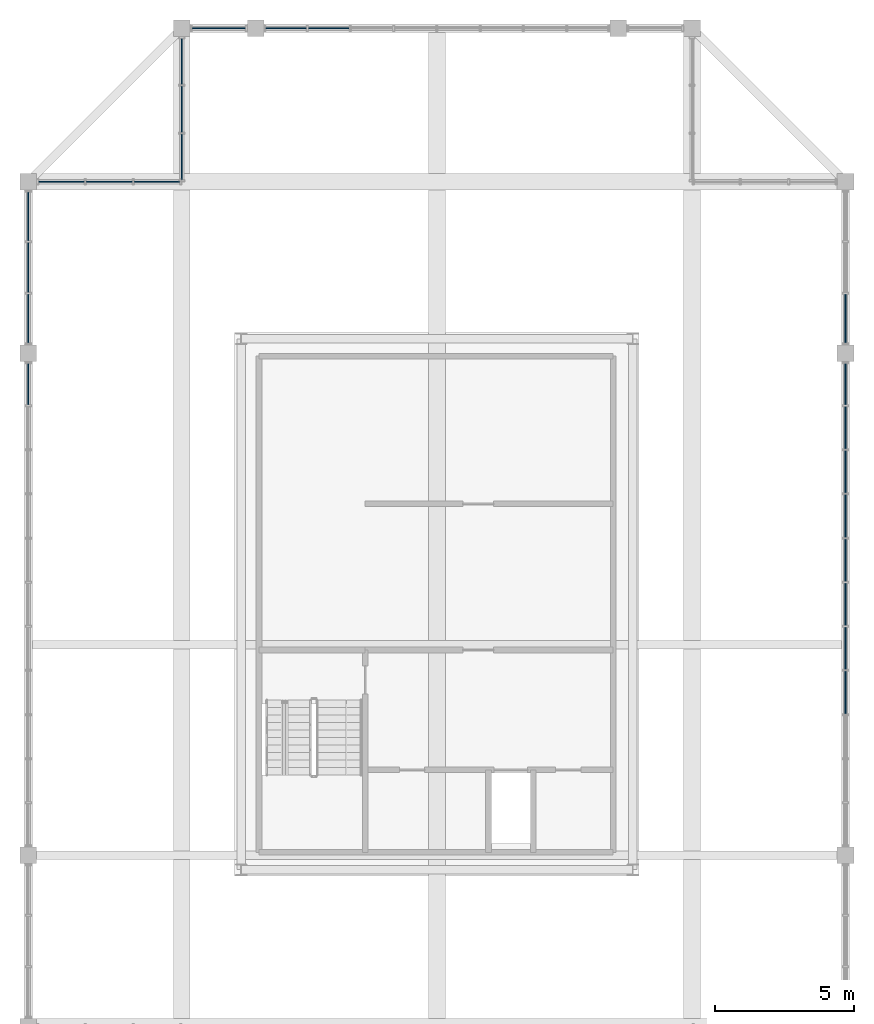
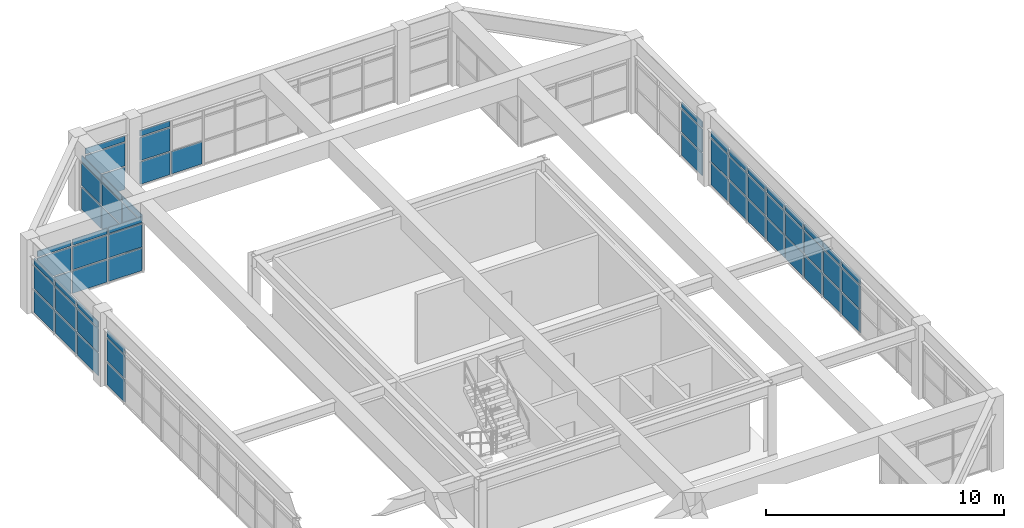
# One storey, part 25 of 28: 64 plates, 8 elements without a shape of their own.
"""IFC4 building model written with IfcOpenShell, lengths in metres."""

import ifcopenshell
import ifcopenshell.guid

model = None  # the IFC model being written
_history = None  # IfcOwnerHistory: only IFC2X3 demands one
_inside = {}  # id of a spatial element -> (the spatial element, [elements in it])
_under = {}  # id of a project, library or spatial element -> (it, [spatial elements below it])
_declared = {}  # id of a project -> (the project, [libraries it declares])
_typed = {}  # id of a type object -> (the type object, [elements of that type])
_made_of = {}  # id of a material, layer set ... -> (it, [elements and type objects made of it])


def new_model(schema):
    """Start an empty IFC model of exactly this schema.

    Asked for "IFC4X3", IfcOpenShell would pick the latest addendum, in which some entities
    have other attributes; the version numbers below select the first issue.
    IFC2X3 requires an IfcOwnerHistory on every rooted entity: one is made here for all.
    """
    global model, _history
    if schema == "IFC4X3":
        model = ifcopenshell.file(schema_version=(4, 3, 0, 0))
    else:
        model = ifcopenshell.file(schema=schema)
    _inside.clear()
    _under.clear()
    _declared.clear()
    _typed.clear()
    _made_of.clear()
    _history = None
    if model.schema == "IFC2X3":
        org = make("IfcOrganization", Name="unknown")
        user = make(
            "IfcPersonAndOrganization",
            ThePerson=make("IfcPerson", FamilyName="unknown"),
            TheOrganization=org,
        )
        app = make(
            "IfcApplication",
            ApplicationDeveloper=org,
            Version="unknown",
            ApplicationFullName="unknown",
            ApplicationIdentifier="unknown",
        )
        _history = make(
            "IfcOwnerHistory",
            OwningUser=user,
            OwningApplication=app,
            ChangeAction="ADDED",
            CreationDate=0,
        )
    return model


def make(cls, **values):
    """One entity of the class cls with the attributes given. An attribute that is None is left unset."""
    return model.create_entity(
        cls, **{name: value for name, value in values.items() if value is not None}
    )


def rooted(cls, **values):
    """An entity with a GlobalId (a new one), such as an element, a storey or a relation."""
    return make(cls, GlobalId=ifcopenshell.guid.new(), OwnerHistory=_history, **values)


def si_unit(unit_type, name, prefix=None):
    """IfcSIUnit, for example si_unit("LENGTHUNIT", "METRE", prefix="MILLI")."""
    return make("IfcSIUnit", UnitType=unit_type, Prefix=prefix, Name=name)


def assignment(units):
    """IfcUnitAssignment: the units of a project."""
    return None if units is None else make("IfcUnitAssignment", Units=units)


def point(xyz):
    """IfcCartesianPoint."""
    return None if xyz is None else make("IfcCartesianPoint", Coordinates=xyz)


def direction(xyz):
    """IfcDirection."""
    return None if xyz is None else make("IfcDirection", DirectionRatios=xyz)


def frame(location, z_axis=None, x_axis=None):
    """IfcAxis2Placement3D, a coordinate frame: its origin and axes. An axis left out is left unset."""
    return make(
        "IfcAxis2Placement3D",
        Location=point(location),
        Axis=direction(z_axis),
        RefDirection=direction(x_axis),
    )


def frame_2d(location, x_axis=None):
    """IfcAxis2Placement2D, a coordinate frame in the plane: its origin and x axis."""
    return make(
        "IfcAxis2Placement2D", Location=point(location), RefDirection=direction(x_axis)
    )


def origin():
    """The frame at (0, 0, 0) with its axes left unset."""
    return frame((0.0, 0.0, 0.0))


def origin_2d():
    """The frame at (0, 0) in the plane with its x axis left unset."""
    return frame_2d((0.0, 0.0))


def place(relative_to, where):
    """IfcLocalPlacement: puts the frame where relative to a parent placement (None: the world)."""
    return make(
        "IfcLocalPlacement", PlacementRelTo=relative_to, RelativePlacement=where
    )


def context(
    kind, dimensions, precision=None, world=None, true_north=None, identifier=None
):
    """IfcGeometricRepresentationContext, for example the 3D "Model" context."""
    return make(
        "IfcGeometricRepresentationContext",
        ContextIdentifier=identifier,
        ContextType=kind,
        CoordinateSpaceDimension=dimensions,
        Precision=precision,
        WorldCoordinateSystem=world,
        TrueNorth=true_north,
    )


def subcontext(parent, identifier, kind, view, scale=None):
    """IfcGeometricRepresentationSubContext, for example "Body" below "Model"."""
    return make(
        "IfcGeometricRepresentationSubContext",
        ContextIdentifier=identifier,
        ContextType=kind,
        ParentContext=parent,
        TargetScale=scale,
        TargetView=view,
    )


def project(units=None, contexts=None):
    """IfcProject with its units and contexts."""
    return rooted(
        "IfcProject",
        Name="project",
        RepresentationContexts=contexts,
        UnitsInContext=assignment(units),
    )


def spatial(cls, under=None, at=None, **own):
    """A site, building, storey or space (cls), placed at a placement, below another one or the project."""
    s = rooted(cls, ObjectPlacement=at, **own)
    if under is not None:
        _under.setdefault(under.id(), (under, []))[1].append(s)
    return s


def profile(cls, at=None, kind="AREA", **sizes):
    """A parametric profile (cls). Its sizes go by their IFC names, for example OverallWidth=200.0."""
    return make(cls, ProfileType=kind, Position=at, **sizes)


def rectangle(**sizes):
    """IfcRectangleProfileDef."""
    return profile("IfcRectangleProfileDef", **sizes)


def extrude(swept, where, along, depth):
    """IfcExtrudedAreaSolid: the profile swept, set in the frame where, extruded along a direction by depth."""
    return make(
        "IfcExtrudedAreaSolid",
        SweptArea=swept,
        Position=where,
        ExtrudedDirection=direction(along),
        Depth=depth,
    )


def shape(context_of_items, identifier, shape_type, items):
    """IfcShapeRepresentation: the items that make up one representation, for example the "Body"."""
    return make(
        "IfcShapeRepresentation",
        ContextOfItems=context_of_items,
        RepresentationIdentifier=identifier,
        RepresentationType=shape_type,
        Items=items,
    )


def source(mapping_origin, context_of_items, identifier, shape_type, items):
    """IfcRepresentationMap: a shape defined once, which mapped items show again and again."""
    return make(
        "IfcRepresentationMap",
        MappingOrigin=mapping_origin,
        MappedRepresentation=shape(context_of_items, identifier, shape_type, items),
    )


def transform(
    local_origin,
    x_axis=None,
    y_axis=None,
    z_axis=None,
    scale=None,
    scale2=None,
    scale3=None,
    uniform=True,
):
    """IfcCartesianTransformationOperator3D, or its non-uniform kind. x_axis, y_axis, z_axis: its Axis1, 2, 3."""
    if uniform:
        return make(
            "IfcCartesianTransformationOperator3D",
            Axis1=direction(x_axis),
            Axis2=direction(y_axis),
            LocalOrigin=point(local_origin),
            Scale=scale,
            Axis3=direction(z_axis),
        )
    return make(
        "IfcCartesianTransformationOperator3DnonUniform",
        Axis1=direction(x_axis),
        Axis2=direction(y_axis),
        LocalOrigin=point(local_origin),
        Scale=scale,
        Axis3=direction(z_axis),
        Scale2=scale2,
        Scale3=scale3,
    )


def mapped(mapping_source, mapping_target):
    """IfcMappedItem: shows the shape of a source again, moved by a transform."""
    return make(
        "IfcMappedItem", MappingSource=mapping_source, MappingTarget=mapping_target
    )


def material(Name=None, Category=None):
    """IfcMaterial."""
    return make("IfcMaterial", Name=Name, Category=Category)


def layer(
    of_material, thickness, ventilated=None, Name=None, Category=None, Priority=None
):
    """IfcMaterialLayer: one layer of a wall or slab, of a material (None: an air gap)."""
    return make(
        "IfcMaterialLayer",
        Material=of_material,
        LayerThickness=thickness,
        IsVentilated=ventilated,
        Name=Name,
        Category=Category,
        Priority=Priority,
    )


def layer_set(layers, Name=None):
    """IfcMaterialLayerSet."""
    return make("IfcMaterialLayerSet", MaterialLayers=layers, LayerSetName=Name)


def made_of(thing, what):
    """Note that an element or type object is made of a material, layer set ...; save() writes the relation."""
    if what is not None:
        _made_of.setdefault(what.id(), (what, []))[1].append(thing)
    return thing


def type_object(cls, material=None, **own):
    """A type object (cls), such as IfcWallType, which elements share."""
    return made_of(rooted(cls, **own), material)


def element(
    cls,
    number,
    at=None,
    inside=None,
    cuts=None,
    type_object=None,
    material=None,
    context=None,
    identifier="Body",
    shape_type=None,
    held_by="IfcProductDefinitionShape",
    body=None,
    shapes=None,
    **own,
):
    """One element of the class cls, such as IfcWall. Its Tag is "e" and its number.

    at: its placement. inside: the storey or other place that contains it. cuts: it is an
    opening in that element (IfcRelVoidsElement). A single representation is given by context,
    identifier, shape_type and body (its items); several are given by shapes. held_by: the class
    of the entity that holds the representations. save() writes the other relations.
    """
    e = rooted(cls, Tag="e%d" % number, ObjectPlacement=at, **own)
    if body is not None:
        shapes = [shape(context, identifier, shape_type, body)]
    if shapes is not None:
        e.Representation = make(held_by, Representations=shapes)
    if inside is not None:
        _inside.setdefault(inside.id(), (inside, []))[1].append(e)
    if cuts is not None:
        rooted(
            "IfcRelVoidsElement", RelatingBuildingElement=cuts, RelatedOpeningElement=e
        )
    if type_object is not None:
        _typed.setdefault(type_object.id(), (type_object, []))[1].append(e)
    return made_of(e, material)


def aggregate(whole, parts):
    """IfcRelAggregates: a whole, such as a stair, and the parts it consists of."""
    return rooted("IfcRelAggregates", RelatingObject=whole, RelatedObjects=parts)


def save(model, path):
    """Write the relations noted so far, then the file.

    IfcRelAggregates (storeys below a building ...), IfcRelContainedInSpatialStructure (elements
    in a storey), IfcRelDefinesByType, IfcRelAssociatesMaterial and IfcRelDeclares: one each for
    every whole, place, type object, material and project.
    """
    for whole, parts in _under.values():
        aggregate(whole, parts)
    for where, things in _inside.values():
        rooted(
            "IfcRelContainedInSpatialStructure",
            RelatedElements=things,
            RelatingStructure=where,
        )
    for kind, things in _typed.values():
        rooted("IfcRelDefinesByType", RelatedObjects=things, RelatingType=kind)
    for what, things in _made_of.values():
        rooted("IfcRelAssociatesMaterial", RelatedObjects=things, RelatingMaterial=what)
    for by, libraries in _declared.values():
        rooted("IfcRelDeclares", RelatingContext=by, RelatedDefinitions=libraries)
    model.write(path)


model = new_model("IFC4")

# Units and contexts
model_context = context("Model", 3, precision=1e-05, world=origin(), true_north=direction((0.0, 1.0)))
body_context = subcontext(model_context, "Body", "Model", "MODEL_VIEW")
ifc_project = project(units=[si_unit("LENGTHUNIT", "METRE"), si_unit("AREAUNIT", "SQUARE_METRE"), si_unit("VOLUMEUNIT", "CUBIC_METRE"), si_unit("PLANEANGLEUNIT", "RADIAN"), si_unit("MASSUNIT", "GRAM", prefix="KILO")], contexts=[model_context])

# Site, building, storey
site_placement = place(None, origin())
site = spatial("IfcSite", under=ifc_project, at=site_placement, CompositionType="ELEMENT")
building_placement = place(site_placement, origin())
building = spatial("IfcBuilding", under=site, at=building_placement, Name="Saelheon Loggia Tower", CompositionType="ELEMENT")
storey_placement = place(building_placement, frame((0.0, 0.0, 271.199951171875)))
storey = spatial("IfcBuildingStorey", under=building, at=storey_placement, Name="CR6", CompositionType="ELEMENT", Elevation=271.199951171875)

# Curtain wall, plates
ifc_material_1 = material(Name="Bronze-Anodised Aluminium and Fritted Ceramic Screen", Category="aluminium")
ifc_layer_1 = layer(ifc_material_1, 0.219970703125)
ifc_layer_set_1 = layer_set([ifc_layer_1], Name="Bronze-Anodised Aluminium and Fritted Ceramic Screen")
curtain_wall_type = type_object("IfcCurtainWallType", Name="CW_CrownScreen", PredefinedType="NOTDEFINED", material=ifc_layer_set_1)
curtain_wall_1_placement = place(storey_placement, origin())
curtain_wall_1 = element("IfcCurtainWall", 1, at=curtain_wall_1_placement, inside=storey, type_object=curtain_wall_type, Name="CR6 Crown Screen Curtain Wall 6-3", PredefinedType="NOTDEFINED")
ifc_material_2 = material(Name="Bronze Ceramic Fritted Spandrel Panel", Category="aluminium")
ifc_layer_2 = layer(ifc_material_2, 0.0380859375)
ifc_layer_set_2 = layer_set([ifc_layer_2], Name="Bronze Ceramic Fritted Spandrel Panel")
plate_type = type_object("IfcPlateType", Name="CW_CrownScreen_Panel", PredefinedType="CURTAIN_PANEL", material=ifc_layer_set_2)
shared_shape_1 = source(origin(), body_context, "Body", "SweptSolid", [
    extrude(rectangle(XDim=1.909912109375, YDim=0.0380859375, at=origin_2d()), origin(), (0.0, 0.0, 1.0), 1.14501953125),
])
plate_1_placement = place(storey_placement, frame((30.175048828125, 47.64990234375, 0.070068359375), z_axis=(0.0, 0.0, 1.0), x_axis=(-1.0, 0.0, 0.0)))
plate_1 = element("IfcPlate", 2, at=plate_1_placement, type_object=plate_type, Name="CW6 panel 1.1", PredefinedType="CURTAIN_PANEL", context=body_context, shape_type="MappedRepresentation", body=[
    mapped(shared_shape_1, transform((0.0, 0.0, 0.0), scale=1.0)),
])
shared_shape_2 = source(origin(), body_context, "Body", "SweptSolid", [
    extrude(rectangle(XDim=1.909912109375, YDim=0.0380859375, at=origin_2d()), origin(), (0.0, 0.0, 1.0), 1.179931640625),
])
plate_2_placement = place(storey_placement, frame((30.175048828125, 47.64990234375, 1.28515625), z_axis=(0.0, 0.0, 1.0), x_axis=(-1.0, 0.0, 0.0)))
plate_2 = element("IfcPlate", 3, at=plate_2_placement, type_object=plate_type, Name="CW6 panel 1.2", PredefinedType="CURTAIN_PANEL", context=body_context, shape_type="MappedRepresentation", body=[
    mapped(shared_shape_2, transform((0.0, 0.0, 0.0), scale=1.0)),
])
shared_shape_3 = source(origin(), body_context, "Body", "SweptSolid", [
    extrude(rectangle(XDim=1.909912109375, YDim=0.0380859375, at=origin_2d()), origin(), (0.0, 0.0, 1.0), 0.294921875),
])
plate_3_placement = place(storey_placement, frame((30.175048828125, 47.64990234375, 2.53515625), z_axis=(0.0, 0.0, 1.0), x_axis=(-1.0, 0.0, 0.0)))
plate_3 = element("IfcPlate", 4, at=plate_3_placement, type_object=plate_type, Name="CW6 panel 1.3", PredefinedType="CURTAIN_PANEL", context=body_context, shape_type="MappedRepresentation", body=[
    mapped(shared_shape_3, transform((0.0, 0.0, 0.0), scale=1.0)),
])
aggregate(curtain_wall_1, [plate_1, plate_2, plate_3])

curtain_wall_2_placement = place(storey_placement, origin())
curtain_wall_2 = element("IfcCurtainWall", 5, at=curtain_wall_2_placement, inside=storey, type_object=curtain_wall_type, Name="CR6 Crown Screen Curtain Wall 6-2", PredefinedType="NOTDEFINED")
shared_shape_4 = source(origin(), body_context, "Body", "SweptSolid", [
    extrude(rectangle(XDim=1.445068359375, YDim=0.0380859375, at=origin_2d()), origin(), (0.0, 0.0, 1.0), 1.14501953125),
])
plate_4_placement = place(storey_placement, frame((32.592529296875, 47.64990234375, 0.070068359375), z_axis=(0.0, 0.0, 1.0), x_axis=(-1.0, 0.0, 0.0)))
plate_4 = element("IfcPlate", 6, at=plate_4_placement, type_object=plate_type, Name="CW6 panel 8.1", PredefinedType="CURTAIN_PANEL", context=body_context, shape_type="MappedRepresentation", body=[
    mapped(shared_shape_4, transform((0.0, 0.0, 0.0), scale=1.0)),
])
shared_shape_5 = source(origin(), body_context, "Body", "SweptSolid", [
    extrude(rectangle(XDim=1.445068359375, YDim=0.0380859375, at=origin_2d()), origin(), (0.0, 0.0, 1.0), 1.179931640625),
])
plate_5_placement = place(storey_placement, frame((32.592529296875, 47.64990234375, 1.28515625), z_axis=(0.0, 0.0, 1.0), x_axis=(-1.0, 0.0, 0.0)))
plate_5 = element("IfcPlate", 7, at=plate_5_placement, type_object=plate_type, Name="CW6 panel 8.2", PredefinedType="CURTAIN_PANEL", context=body_context, shape_type="MappedRepresentation", body=[
    mapped(shared_shape_5, transform((0.0, 0.0, 0.0), scale=1.0)),
])
shared_shape_6 = source(origin(), body_context, "Body", "SweptSolid", [
    extrude(rectangle(XDim=1.445068359375, YDim=0.0380859375, at=origin_2d()), origin(), (0.0, 0.0, 1.0), 0.294921875),
])
plate_6_placement = place(storey_placement, frame((32.592529296875, 47.64990234375, 2.53515625), z_axis=(0.0, 0.0, 1.0), x_axis=(-1.0, 0.0, 0.0)))
plate_6 = element("IfcPlate", 8, at=plate_6_placement, type_object=plate_type, Name="CW6 panel 8.3", PredefinedType="CURTAIN_PANEL", context=body_context, shape_type="MappedRepresentation", body=[
    mapped(shared_shape_6, transform((0.0, 0.0, 0.0), scale=1.0)),
])
shared_shape_7 = source(origin(), body_context, "Body", "SweptSolid", [
    extrude(rectangle(XDim=1.47998046875, YDim=0.0380859375, at=origin_2d()), origin(), (0.0, 0.0, 1.0), 1.14501953125),
])
plate_7_placement = place(storey_placement, frame((34.125, 47.64990234375, 0.070068359375), z_axis=(0.0, 0.0, 1.0), x_axis=(-1.0, 0.0, 0.0)))
plate_7 = element("IfcPlate", 9, at=plate_7_placement, type_object=plate_type, Name="CW6 panel 7.1", PredefinedType="CURTAIN_PANEL", context=body_context, shape_type="MappedRepresentation", body=[
    mapped(shared_shape_7, transform((0.0, 0.0, 0.0), scale=1.0)),
])
aggregate(curtain_wall_2, [plate_7, plate_4, plate_5, plate_6])

curtain_wall_3_placement = place(storey_placement, origin())
curtain_wall_3 = element("IfcCurtainWall", 10, at=curtain_wall_3_placement, inside=storey, type_object=curtain_wall_type, Name="CR6 Crown Screen Curtain Wall 7-1", PredefinedType="NOTDEFINED")
shared_shape_8 = source(origin(), body_context, "Body", "SweptSolid", [
    extrude(rectangle(XDim=1.62841796875, YDim=0.0380859375, at=origin_2d()), origin(), (0.0, 0.0, 1.0), 1.14501953125),
])
plate_8_placement = place(storey_placement, frame((28.85009765625, 46.4658203125, 0.070068359375), z_axis=(0.0, 0.0, 1.0), x_axis=(0.0, -1.0, 0.0)))
plate_8 = element("IfcPlate", 11, at=plate_8_placement, type_object=plate_type, Name="CW6 panel 1.1", PredefinedType="CURTAIN_PANEL", context=body_context, shape_type="MappedRepresentation", body=[
    mapped(shared_shape_8, transform((0.0, 0.0, 0.0), scale=1.0)),
])
plate_9_placement = place(storey_placement, frame((28.85009765625, 43.0341796875, 0.070068359375), z_axis=(0.0, 0.0, 1.0), x_axis=(0.0, -1.0, 0.0)))
plate_9 = element("IfcPlate", 12, at=plate_9_placement, type_object=plate_type, Name="CW6 panel 3.1", PredefinedType="CURTAIN_PANEL", context=body_context, shape_type="MappedRepresentation", body=[
    mapped(shared_shape_8, transform((0.0, 0.0, 0.0), scale=1.0)),
])

curtain_wall_4_placement = place(storey_placement, origin())
curtain_wall_4 = element("IfcCurtainWall", 13, at=curtain_wall_4_placement, inside=storey, type_object=curtain_wall_type, Name="CR6 Crown Screen Curtain Wall 8-1", PredefinedType="NOTDEFINED")
plate_10_placement = place(storey_placement, frame((27.9658203125, 42.14990234375, 0.070068359375), z_axis=(0.0, 0.0, 1.0), x_axis=(-1.0, 0.0, 0.0)))
plate_10 = element("IfcPlate", 14, at=plate_10_placement, type_object=plate_type, Name="CW6 panel 1.1", PredefinedType="CURTAIN_PANEL", context=body_context, shape_type="MappedRepresentation", body=[
    mapped(shared_shape_8, transform((0.0, 0.0, 0.0), scale=1.0)),
])
plate_11_placement = place(storey_placement, frame((24.5341796875, 42.14990234375, 0.070068359375), z_axis=(0.0, 0.0, 1.0), x_axis=(-1.0, 0.0, 0.0)))
plate_11 = element("IfcPlate", 15, at=plate_11_placement, type_object=plate_type, Name="CW6 panel 3.1", PredefinedType="CURTAIN_PANEL", context=body_context, shape_type="MappedRepresentation", body=[
    mapped(shared_shape_8, transform((0.0, 0.0, 0.0), scale=1.0)),
])

# Plate
shared_shape_9 = source(origin(), body_context, "Body", "SweptSolid", [
    extrude(rectangle(XDim=1.62841796875, YDim=0.0380859375, at=origin_2d()), origin(), (0.0, 0.0, 1.0), 1.179931640625),
])
plate_12_placement = place(storey_placement, frame((28.85009765625, 46.4658203125, 1.28515625), z_axis=(0.0, 0.0, 1.0), x_axis=(0.0, -1.0, 0.0)))
plate_12 = element("IfcPlate", 16, at=plate_12_placement, type_object=plate_type, Name="CW6 panel 1.2", PredefinedType="CURTAIN_PANEL", context=body_context, shape_type="MappedRepresentation", body=[
    mapped(shared_shape_9, transform((0.0, 0.0, 0.0), scale=1.0)),
])

plate_13_placement = place(storey_placement, frame((28.85009765625, 43.0341796875, 1.28515625), z_axis=(0.0, 0.0, 1.0), x_axis=(0.0, -1.0, 0.0)))
plate_13 = element("IfcPlate", 17, at=plate_13_placement, type_object=plate_type, Name="CW6 panel 3.2", PredefinedType="CURTAIN_PANEL", context=body_context, shape_type="MappedRepresentation", body=[
    mapped(shared_shape_9, transform((0.0, 0.0, 0.0), scale=1.0)),
])

plate_14_placement = place(storey_placement, frame((27.9658203125, 42.14990234375, 1.28515625), z_axis=(0.0, 0.0, 1.0), x_axis=(-1.0, 0.0, 0.0)))
plate_14 = element("IfcPlate", 18, at=plate_14_placement, type_object=plate_type, Name="CW6 panel 1.2", PredefinedType="CURTAIN_PANEL", context=body_context, shape_type="MappedRepresentation", body=[
    mapped(shared_shape_9, transform((0.0, 0.0, 0.0), scale=1.0)),
])

plate_15_placement = place(storey_placement, frame((24.5341796875, 42.14990234375, 1.28515625), z_axis=(0.0, 0.0, 1.0), x_axis=(-1.0, 0.0, 0.0)))
plate_15 = element("IfcPlate", 19, at=plate_15_placement, type_object=plate_type, Name="CW6 panel 3.2", PredefinedType="CURTAIN_PANEL", context=body_context, shape_type="MappedRepresentation", body=[
    mapped(shared_shape_9, transform((0.0, 0.0, 0.0), scale=1.0)),
])

shared_shape_10 = source(origin(), body_context, "Body", "SweptSolid", [
    extrude(rectangle(XDim=1.62841796875, YDim=0.0380859375, at=origin_2d()), origin(), (0.0, 0.0, 1.0), 0.294921875),
])
plate_16_placement = place(storey_placement, frame((28.85009765625, 46.4658203125, 2.53515625), z_axis=(0.0, 0.0, 1.0), x_axis=(0.0, -1.0, 0.0)))
plate_16 = element("IfcPlate", 20, at=plate_16_placement, type_object=plate_type, Name="CW6 panel 1.3", PredefinedType="CURTAIN_PANEL", context=body_context, shape_type="MappedRepresentation", body=[
    mapped(shared_shape_10, transform((0.0, 0.0, 0.0), scale=1.0)),
])

plate_17_placement = place(storey_placement, frame((28.85009765625, 43.0341796875, 2.53515625), z_axis=(0.0, 0.0, 1.0), x_axis=(0.0, -1.0, 0.0)))
plate_17 = element("IfcPlate", 21, at=plate_17_placement, type_object=plate_type, Name="CW6 panel 3.3", PredefinedType="CURTAIN_PANEL", context=body_context, shape_type="MappedRepresentation", body=[
    mapped(shared_shape_10, transform((0.0, 0.0, 0.0), scale=1.0)),
])

plate_18_placement = place(storey_placement, frame((27.9658203125, 42.14990234375, 2.53515625), z_axis=(0.0, 0.0, 1.0), x_axis=(-1.0, 0.0, 0.0)))
plate_18 = element("IfcPlate", 22, at=plate_18_placement, type_object=plate_type, Name="CW6 panel 1.3", PredefinedType="CURTAIN_PANEL", context=body_context, shape_type="MappedRepresentation", body=[
    mapped(shared_shape_10, transform((0.0, 0.0, 0.0), scale=1.0)),
])

plate_19_placement = place(storey_placement, frame((24.5341796875, 42.14990234375, 2.53515625), z_axis=(0.0, 0.0, 1.0), x_axis=(-1.0, 0.0, 0.0)))
plate_19 = element("IfcPlate", 23, at=plate_19_placement, type_object=plate_type, Name="CW6 panel 3.3", PredefinedType="CURTAIN_PANEL", context=body_context, shape_type="MappedRepresentation", body=[
    mapped(shared_shape_10, transform((0.0, 0.0, 0.0), scale=1.0)),
])

shared_shape_11 = source(origin(), body_context, "Body", "SweptSolid", [
    extrude(rectangle(XDim=1.663330078125, YDim=0.0380859375, at=origin_2d()), origin(), (0.0, 0.0, 1.0), 1.14501953125),
])
plate_20_placement = place(storey_placement, frame((28.85009765625, 44.75, 0.070068359375), z_axis=(0.0, 0.0, 1.0), x_axis=(0.0, -1.0, 0.0)))
plate_20 = element("IfcPlate", 24, at=plate_20_placement, type_object=plate_type, Name="CW6 panel 2.1", PredefinedType="CURTAIN_PANEL", context=body_context, shape_type="MappedRepresentation", body=[
    mapped(shared_shape_11, transform((0.0, 0.0, 0.0), scale=1.0)),
])

plate_21_placement = place(storey_placement, frame((26.25, 42.14990234375, 0.070068359375), z_axis=(0.0, 0.0, 1.0), x_axis=(-1.0, 0.0, 0.0)))
plate_21 = element("IfcPlate", 25, at=plate_21_placement, type_object=plate_type, Name="CW6 panel 2.1", PredefinedType="CURTAIN_PANEL", context=body_context, shape_type="MappedRepresentation", body=[
    mapped(shared_shape_11, transform((0.0, 0.0, 0.0), scale=1.0)),
])

shared_shape_12 = source(origin(), body_context, "Body", "SweptSolid", [
    extrude(rectangle(XDim=1.663330078125, YDim=0.0380859375, at=origin_2d()), origin(), (0.0, 0.0, 1.0), 1.179931640625),
])
plate_22_placement = place(storey_placement, frame((28.85009765625, 44.75, 1.28515625), z_axis=(0.0, 0.0, 1.0), x_axis=(0.0, -1.0, 0.0)))
plate_22 = element("IfcPlate", 26, at=plate_22_placement, type_object=plate_type, Name="CW6 panel 2.2", PredefinedType="CURTAIN_PANEL", context=body_context, shape_type="MappedRepresentation", body=[
    mapped(shared_shape_12, transform((0.0, 0.0, 0.0), scale=1.0)),
])

plate_23_placement = place(storey_placement, frame((26.25, 42.14990234375, 1.28515625), z_axis=(0.0, 0.0, 1.0), x_axis=(-1.0, 0.0, 0.0)))
plate_23 = element("IfcPlate", 27, at=plate_23_placement, type_object=plate_type, Name="CW6 panel 2.2", PredefinedType="CURTAIN_PANEL", context=body_context, shape_type="MappedRepresentation", body=[
    mapped(shared_shape_12, transform((0.0, 0.0, 0.0), scale=1.0)),
])

shared_shape_13 = source(origin(), body_context, "Body", "SweptSolid", [
    extrude(rectangle(XDim=1.663330078125, YDim=0.0380859375, at=origin_2d()), origin(), (0.0, 0.0, 1.0), 0.294921875),
])
plate_24_placement = place(storey_placement, frame((28.85009765625, 44.75, 2.53515625), z_axis=(0.0, 0.0, 1.0), x_axis=(0.0, -1.0, 0.0)))
plate_24 = element("IfcPlate", 28, at=plate_24_placement, type_object=plate_type, Name="CW6 panel 2.3", PredefinedType="CURTAIN_PANEL", context=body_context, shape_type="MappedRepresentation", body=[
    mapped(shared_shape_13, transform((0.0, 0.0, 0.0), scale=1.0)),
])

aggregate(curtain_wall_3, [plate_8, plate_12, plate_16, plate_20, plate_22, plate_24, plate_9, plate_13, plate_17])

plate_25_placement = place(storey_placement, frame((26.25, 42.14990234375, 2.53515625), z_axis=(0.0, 0.0, 1.0), x_axis=(-1.0, 0.0, 0.0)))
plate_25 = element("IfcPlate", 29, at=plate_25_placement, type_object=plate_type, Name="CW6 panel 2.3", PredefinedType="CURTAIN_PANEL", context=body_context, shape_type="MappedRepresentation", body=[
    mapped(shared_shape_13, transform((0.0, 0.0, 0.0), scale=1.0)),
])

aggregate(curtain_wall_4, [plate_10, plate_14, plate_18, plate_21, plate_23, plate_25, plate_11, plate_15, plate_19])

# Curtain wall, plate
curtain_wall_5_placement = place(storey_placement, origin())
curtain_wall_5 = element("IfcCurtainWall", 30, at=curtain_wall_5_placement, inside=storey, type_object=curtain_wall_type, Name="CR6 Crown Screen Curtain Wall 3-3", PredefinedType="NOTDEFINED")
shared_shape_14 = source(origin(), body_context, "Body", "SweptSolid", [
    extrude(rectangle(XDim=1.7451171875, YDim=0.0380859375, at=origin_2d()), origin(), (0.0, 0.0, 1.0), 1.14501953125),
])
plate_26_placement = place(storey_placement, frame((52.64990234375, 37.242431640625, 0.070068359375), z_axis=(0.0, 0.0, 1.0), x_axis=(0.0, 1.0, 0.0)))
plate_26 = element("IfcPlate", 31, at=plate_26_placement, type_object=plate_type, Name="CW6 panel 1.1", PredefinedType="CURTAIN_PANEL", context=body_context, shape_type="MappedRepresentation", body=[
    mapped(shared_shape_14, transform((0.0, 0.0, 0.0), scale=1.0)),
])

# Curtain wall, plates
curtain_wall_6_placement = place(storey_placement, origin())
curtain_wall_6 = element("IfcCurtainWall", 32, at=curtain_wall_6_placement, inside=storey, type_object=curtain_wall_type, Name="CR6 Crown Screen Curtain Wall 9-1", PredefinedType="NOTDEFINED")
plate_27_placement = place(storey_placement, frame((23.35009765625, 40.907470703125, 0.070068359375), z_axis=(0.0, 0.0, 1.0), x_axis=(0.0, -1.0, 0.0)))
plate_27 = element("IfcPlate", 33, at=plate_27_placement, type_object=plate_type, Name="CW6 panel 1.1", PredefinedType="CURTAIN_PANEL", context=body_context, shape_type="MappedRepresentation", body=[
    mapped(shared_shape_14, transform((0.0, 0.0, 0.0), scale=1.0)),
])
plate_28_placement = place(storey_placement, frame((23.35009765625, 37.242431640625, 0.070068359375), z_axis=(0.0, 0.0, 1.0), x_axis=(0.0, -1.0, 0.0)))
plate_28 = element("IfcPlate", 34, at=plate_28_placement, type_object=plate_type, Name="CW6 panel 3.1", PredefinedType="CURTAIN_PANEL", context=body_context, shape_type="MappedRepresentation", body=[
    mapped(shared_shape_14, transform((0.0, 0.0, 0.0), scale=1.0)),
])

# Plate
shared_shape_15 = source(origin(), body_context, "Body", "SweptSolid", [
    extrude(rectangle(XDim=1.7451171875, YDim=0.0380859375, at=origin_2d()), origin(), (0.0, 0.0, 1.0), 1.179931640625),
])
plate_29_placement = place(storey_placement, frame((52.64990234375, 37.242431640625, 1.28515625), z_axis=(0.0, 0.0, 1.0), x_axis=(0.0, 1.0, 0.0)))
plate_29 = element("IfcPlate", 35, at=plate_29_placement, type_object=plate_type, Name="CW6 panel 1.2", PredefinedType="CURTAIN_PANEL", context=body_context, shape_type="MappedRepresentation", body=[
    mapped(shared_shape_15, transform((0.0, 0.0, 0.0), scale=1.0)),
])

plate_30_placement = place(storey_placement, frame((23.35009765625, 40.907470703125, 1.28515625), z_axis=(0.0, 0.0, 1.0), x_axis=(0.0, -1.0, 0.0)))
plate_30 = element("IfcPlate", 36, at=plate_30_placement, type_object=plate_type, Name="CW6 panel 1.2", PredefinedType="CURTAIN_PANEL", context=body_context, shape_type="MappedRepresentation", body=[
    mapped(shared_shape_15, transform((0.0, 0.0, 0.0), scale=1.0)),
])

plate_31_placement = place(storey_placement, frame((23.35009765625, 37.242431640625, 1.28515625), z_axis=(0.0, 0.0, 1.0), x_axis=(0.0, -1.0, 0.0)))
plate_31 = element("IfcPlate", 37, at=plate_31_placement, type_object=plate_type, Name="CW6 panel 3.2", PredefinedType="CURTAIN_PANEL", context=body_context, shape_type="MappedRepresentation", body=[
    mapped(shared_shape_15, transform((0.0, 0.0, 0.0), scale=1.0)),
])

shared_shape_16 = source(origin(), body_context, "Body", "SweptSolid", [
    extrude(rectangle(XDim=1.7451171875, YDim=0.0380859375, at=origin_2d()), origin(), (0.0, 0.0, 1.0), 0.294921875),
])
plate_32_placement = place(storey_placement, frame((52.64990234375, 37.242431640625, 2.53515625), z_axis=(0.0, 0.0, 1.0), x_axis=(0.0, 1.0, 0.0)))
plate_32 = element("IfcPlate", 38, at=plate_32_placement, type_object=plate_type, Name="CW6 panel 1.3", PredefinedType="CURTAIN_PANEL", context=body_context, shape_type="MappedRepresentation", body=[
    mapped(shared_shape_16, transform((0.0, 0.0, 0.0), scale=1.0)),
])

aggregate(curtain_wall_5, [plate_26, plate_29, plate_32])

plate_33_placement = place(storey_placement, frame((23.35009765625, 40.907470703125, 2.53515625), z_axis=(0.0, 0.0, 1.0), x_axis=(0.0, -1.0, 0.0)))
plate_33 = element("IfcPlate", 39, at=plate_33_placement, type_object=plate_type, Name="CW6 panel 1.3", PredefinedType="CURTAIN_PANEL", context=body_context, shape_type="MappedRepresentation", body=[
    mapped(shared_shape_16, transform((0.0, 0.0, 0.0), scale=1.0)),
])

plate_34_placement = place(storey_placement, frame((23.35009765625, 37.242431640625, 2.53515625), z_axis=(0.0, 0.0, 1.0), x_axis=(0.0, -1.0, 0.0)))
plate_34 = element("IfcPlate", 40, at=plate_34_placement, type_object=plate_type, Name="CW6 panel 3.3", PredefinedType="CURTAIN_PANEL", context=body_context, shape_type="MappedRepresentation", body=[
    mapped(shared_shape_16, transform((0.0, 0.0, 0.0), scale=1.0)),
])

shared_shape_17 = source(origin(), body_context, "Body", "SweptSolid", [
    extrude(rectangle(XDim=1.780029296875, YDim=0.0380859375, at=origin_2d()), origin(), (0.0, 0.0, 1.0), 1.14501953125),
])
plate_35_placement = place(storey_placement, frame((23.35009765625, 39.074951171875, 0.070068359375), z_axis=(0.0, 0.0, 1.0), x_axis=(0.0, -1.0, 0.0)))
plate_35 = element("IfcPlate", 41, at=plate_35_placement, type_object=plate_type, Name="CW6 panel 2.1", PredefinedType="CURTAIN_PANEL", context=body_context, shape_type="MappedRepresentation", body=[
    mapped(shared_shape_17, transform((0.0, 0.0, 0.0), scale=1.0)),
])

shared_shape_18 = source(origin(), body_context, "Body", "SweptSolid", [
    extrude(rectangle(XDim=1.780029296875, YDim=0.0380859375, at=origin_2d()), origin(), (0.0, 0.0, 1.0), 1.179931640625),
])
plate_36_placement = place(storey_placement, frame((23.35009765625, 39.074951171875, 1.28515625), z_axis=(0.0, 0.0, 1.0), x_axis=(0.0, -1.0, 0.0)))
plate_36 = element("IfcPlate", 42, at=plate_36_placement, type_object=plate_type, Name="CW6 panel 2.2", PredefinedType="CURTAIN_PANEL", context=body_context, shape_type="MappedRepresentation", body=[
    mapped(shared_shape_18, transform((0.0, 0.0, 0.0), scale=1.0)),
])

shared_shape_19 = source(origin(), body_context, "Body", "SweptSolid", [
    extrude(rectangle(XDim=1.780029296875, YDim=0.0380859375, at=origin_2d()), origin(), (0.0, 0.0, 1.0), 0.294921875),
])
plate_37_placement = place(storey_placement, frame((23.35009765625, 39.074951171875, 2.53515625), z_axis=(0.0, 0.0, 1.0), x_axis=(0.0, -1.0, 0.0)))
plate_37 = element("IfcPlate", 43, at=plate_37_placement, type_object=plate_type, Name="CW6 panel 2.3", PredefinedType="CURTAIN_PANEL", context=body_context, shape_type="MappedRepresentation", body=[
    mapped(shared_shape_19, transform((0.0, 0.0, 0.0), scale=1.0)),
])

aggregate(curtain_wall_6, [plate_27, plate_30, plate_33, plate_35, plate_36, plate_37, plate_28, plate_31, plate_34])

# Curtain wall, plate
curtain_wall_7_placement = place(storey_placement, origin())
curtain_wall_7 = element("IfcCurtainWall", 44, at=curtain_wall_7_placement, inside=storey, type_object=curtain_wall_type, Name="CR6 Crown Screen Curtain Wall 3-2", PredefinedType="NOTDEFINED")
shared_shape_20 = source(origin(), body_context, "Body", "SweptSolid", [
    extrude(rectangle(XDim=1.476806640625, YDim=0.0380859375, at=origin_2d()), origin(), (0.0, 0.0, 1.0), 1.14501953125),
])
plate_38_placement = place(storey_placement, frame((52.64990234375, 34.8916015625, 0.070068359375), z_axis=(0.0, 0.0, 1.0), x_axis=(0.0, 1.0, 0.0)))
plate_38 = element("IfcPlate", 45, at=plate_38_placement, type_object=plate_type, Name="CW6 panel 11.1", PredefinedType="CURTAIN_PANEL", context=body_context, shape_type="MappedRepresentation", body=[
    mapped(shared_shape_20, transform((0.0, 0.0, 0.0), scale=1.0)),
])

curtain_wall_8_placement = place(storey_placement, origin())
curtain_wall_8 = element("IfcCurtainWall", 46, at=curtain_wall_8_placement, inside=storey, type_object=curtain_wall_type, Name="CR6 Crown Screen Curtain Wall 9-2", PredefinedType="NOTDEFINED")
plate_39_placement = place(storey_placement, frame((23.35009765625, 34.8916015625, 0.070068359375), z_axis=(0.0, 0.0, 1.0), x_axis=(0.0, -1.0, 0.0)))
plate_39 = element("IfcPlate", 47, at=plate_39_placement, type_object=plate_type, Name="CW6 panel 1.1", PredefinedType="CURTAIN_PANEL", context=body_context, shape_type="MappedRepresentation", body=[
    mapped(shared_shape_20, transform((0.0, 0.0, 0.0), scale=1.0)),
])

# Plate
shared_shape_21 = source(origin(), body_context, "Body", "SweptSolid", [
    extrude(rectangle(XDim=1.476806640625, YDim=0.0380859375, at=origin_2d()), origin(), (0.0, 0.0, 1.0), 1.179931640625),
])
plate_40_placement = place(storey_placement, frame((52.64990234375, 34.8916015625, 1.28515625), z_axis=(0.0, 0.0, 1.0), x_axis=(0.0, 1.0, 0.0)))
plate_40 = element("IfcPlate", 48, at=plate_40_placement, type_object=plate_type, Name="CW6 panel 11.2", PredefinedType="CURTAIN_PANEL", context=body_context, shape_type="MappedRepresentation", body=[
    mapped(shared_shape_21, transform((0.0, 0.0, 0.0), scale=1.0)),
])

plate_41_placement = place(storey_placement, frame((23.35009765625, 34.8916015625, 1.28515625), z_axis=(0.0, 0.0, 1.0), x_axis=(0.0, -1.0, 0.0)))
plate_41 = element("IfcPlate", 49, at=plate_41_placement, type_object=plate_type, Name="CW6 panel 1.2", PredefinedType="CURTAIN_PANEL", context=body_context, shape_type="MappedRepresentation", body=[
    mapped(shared_shape_21, transform((0.0, 0.0, 0.0), scale=1.0)),
])

shared_shape_22 = source(origin(), body_context, "Body", "SweptSolid", [
    extrude(rectangle(XDim=1.476806640625, YDim=0.0380859375, at=origin_2d()), origin(), (0.0, 0.0, 1.0), 0.294921875),
])
plate_42_placement = place(storey_placement, frame((52.64990234375, 34.8916015625, 2.53515625), z_axis=(0.0, 0.0, 1.0), x_axis=(0.0, 1.0, 0.0)))
plate_42 = element("IfcPlate", 50, at=plate_42_placement, type_object=plate_type, Name="CW6 panel 11.3", PredefinedType="CURTAIN_PANEL", context=body_context, shape_type="MappedRepresentation", body=[
    mapped(shared_shape_22, transform((0.0, 0.0, 0.0), scale=1.0)),
])

plate_43_placement = place(storey_placement, frame((23.35009765625, 34.8916015625, 2.53515625), z_axis=(0.0, 0.0, 1.0), x_axis=(0.0, -1.0, 0.0)))
plate_43 = element("IfcPlate", 51, at=plate_43_placement, type_object=plate_type, Name="CW6 panel 1.3", PredefinedType="CURTAIN_PANEL", context=body_context, shape_type="MappedRepresentation", body=[
    mapped(shared_shape_22, transform((0.0, 0.0, 0.0), scale=1.0)),
])

aggregate(curtain_wall_8, [plate_39, plate_41, plate_43])

shared_shape_23 = source(origin(), body_context, "Body", "SweptSolid", [
    extrude(rectangle(XDim=1.51171875, YDim=0.0380859375, at=origin_2d()), origin(), (0.0, 0.0, 1.0), 1.14501953125),
])
plate_44_placement = place(storey_placement, frame((52.64990234375, 23.83642578125, 0.070068359375), z_axis=(0.0, 0.0, 1.0), x_axis=(0.0, 1.0, 0.0)))
plate_44 = element("IfcPlate", 52, at=plate_44_placement, type_object=plate_type, Name="CW6 panel 4.1", PredefinedType="CURTAIN_PANEL", context=body_context, shape_type="MappedRepresentation", body=[
    mapped(shared_shape_23, transform((0.0, 0.0, 0.0), scale=1.0)),
])

plate_45_placement = place(storey_placement, frame((52.64990234375, 25.418212890625, 0.070068359375), z_axis=(0.0, 0.0, 1.0), x_axis=(0.0, 1.0, 0.0)))
plate_45 = element("IfcPlate", 53, at=plate_45_placement, type_object=plate_type, Name="CW6 panel 5.1", PredefinedType="CURTAIN_PANEL", context=body_context, shape_type="MappedRepresentation", body=[
    mapped(shared_shape_23, transform((0.0, 0.0, 0.0), scale=1.0)),
])

plate_46_placement = place(storey_placement, frame((52.64990234375, 27.0, 0.070068359375), z_axis=(0.0, 0.0, 1.0), x_axis=(0.0, 1.0, 0.0)))
plate_46 = element("IfcPlate", 54, at=plate_46_placement, type_object=plate_type, Name="CW6 panel 6.1", PredefinedType="CURTAIN_PANEL", context=body_context, shape_type="MappedRepresentation", body=[
    mapped(shared_shape_23, transform((0.0, 0.0, 0.0), scale=1.0)),
])

plate_47_placement = place(storey_placement, frame((52.64990234375, 28.581787109375, 0.070068359375), z_axis=(0.0, 0.0, 1.0), x_axis=(0.0, 1.0, 0.0)))
plate_47 = element("IfcPlate", 55, at=plate_47_placement, type_object=plate_type, Name="CW6 panel 7.1", PredefinedType="CURTAIN_PANEL", context=body_context, shape_type="MappedRepresentation", body=[
    mapped(shared_shape_23, transform((0.0, 0.0, 0.0), scale=1.0)),
])

plate_48_placement = place(storey_placement, frame((52.64990234375, 30.16357421875, 0.070068359375), z_axis=(0.0, 0.0, 1.0), x_axis=(0.0, 1.0, 0.0)))
plate_48 = element("IfcPlate", 56, at=plate_48_placement, type_object=plate_type, Name="CW6 panel 8.1", PredefinedType="CURTAIN_PANEL", context=body_context, shape_type="MappedRepresentation", body=[
    mapped(shared_shape_23, transform((0.0, 0.0, 0.0), scale=1.0)),
])

plate_49_placement = place(storey_placement, frame((52.64990234375, 31.745361328125, 0.070068359375), z_axis=(0.0, 0.0, 1.0), x_axis=(0.0, 1.0, 0.0)))
plate_49 = element("IfcPlate", 57, at=plate_49_placement, type_object=plate_type, Name="CW6 panel 9.1", PredefinedType="CURTAIN_PANEL", context=body_context, shape_type="MappedRepresentation", body=[
    mapped(shared_shape_23, transform((0.0, 0.0, 0.0), scale=1.0)),
])

plate_50_placement = place(storey_placement, frame((52.64990234375, 33.327392578125, 0.070068359375), z_axis=(0.0, 0.0, 1.0), x_axis=(0.0, 1.0, 0.0)))
plate_50 = element("IfcPlate", 58, at=plate_50_placement, type_object=plate_type, Name="CW6 panel 10.1", PredefinedType="CURTAIN_PANEL", context=body_context, shape_type="MappedRepresentation", body=[
    mapped(shared_shape_23, transform((0.0, 0.0, 0.0), scale=1.0)),
])

shared_shape_24 = source(origin(), body_context, "Body", "SweptSolid", [
    extrude(rectangle(XDim=1.51171875, YDim=0.0380859375, at=origin_2d()), origin(), (0.0, 0.0, 1.0), 1.179931640625),
])
plate_51_placement = place(storey_placement, frame((52.64990234375, 23.83642578125, 1.28515625), z_axis=(0.0, 0.0, 1.0), x_axis=(0.0, 1.0, 0.0)))
plate_51 = element("IfcPlate", 59, at=plate_51_placement, type_object=plate_type, Name="CW6 panel 4.2", PredefinedType="CURTAIN_PANEL", context=body_context, shape_type="MappedRepresentation", body=[
    mapped(shared_shape_24, transform((0.0, 0.0, 0.0), scale=1.0)),
])

plate_52_placement = place(storey_placement, frame((52.64990234375, 25.418212890625, 1.28515625), z_axis=(0.0, 0.0, 1.0), x_axis=(0.0, 1.0, 0.0)))
plate_52 = element("IfcPlate", 60, at=plate_52_placement, type_object=plate_type, Name="CW6 panel 5.2", PredefinedType="CURTAIN_PANEL", context=body_context, shape_type="MappedRepresentation", body=[
    mapped(shared_shape_24, transform((0.0, 0.0, 0.0), scale=1.0)),
])

plate_53_placement = place(storey_placement, frame((52.64990234375, 27.0, 1.28515625), z_axis=(0.0, 0.0, 1.0), x_axis=(0.0, 1.0, 0.0)))
plate_53 = element("IfcPlate", 61, at=plate_53_placement, type_object=plate_type, Name="CW6 panel 6.2", PredefinedType="CURTAIN_PANEL", context=body_context, shape_type="MappedRepresentation", body=[
    mapped(shared_shape_24, transform((0.0, 0.0, 0.0), scale=1.0)),
])

plate_54_placement = place(storey_placement, frame((52.64990234375, 28.581787109375, 1.28515625), z_axis=(0.0, 0.0, 1.0), x_axis=(0.0, 1.0, 0.0)))
plate_54 = element("IfcPlate", 62, at=plate_54_placement, type_object=plate_type, Name="CW6 panel 7.2", PredefinedType="CURTAIN_PANEL", context=body_context, shape_type="MappedRepresentation", body=[
    mapped(shared_shape_24, transform((0.0, 0.0, 0.0), scale=1.0)),
])

plate_55_placement = place(storey_placement, frame((52.64990234375, 30.16357421875, 1.28515625), z_axis=(0.0, 0.0, 1.0), x_axis=(0.0, 1.0, 0.0)))
plate_55 = element("IfcPlate", 63, at=plate_55_placement, type_object=plate_type, Name="CW6 panel 8.2", PredefinedType="CURTAIN_PANEL", context=body_context, shape_type="MappedRepresentation", body=[
    mapped(shared_shape_24, transform((0.0, 0.0, 0.0), scale=1.0)),
])

plate_56_placement = place(storey_placement, frame((52.64990234375, 31.745361328125, 1.28515625), z_axis=(0.0, 0.0, 1.0), x_axis=(0.0, 1.0, 0.0)))
plate_56 = element("IfcPlate", 64, at=plate_56_placement, type_object=plate_type, Name="CW6 panel 9.2", PredefinedType="CURTAIN_PANEL", context=body_context, shape_type="MappedRepresentation", body=[
    mapped(shared_shape_24, transform((0.0, 0.0, 0.0), scale=1.0)),
])

plate_57_placement = place(storey_placement, frame((52.64990234375, 33.327392578125, 1.28515625), z_axis=(0.0, 0.0, 1.0), x_axis=(0.0, 1.0, 0.0)))
plate_57 = element("IfcPlate", 65, at=plate_57_placement, type_object=plate_type, Name="CW6 panel 10.2", PredefinedType="CURTAIN_PANEL", context=body_context, shape_type="MappedRepresentation", body=[
    mapped(shared_shape_24, transform((0.0, 0.0, 0.0), scale=1.0)),
])

shared_shape_25 = source(origin(), body_context, "Body", "SweptSolid", [
    extrude(rectangle(XDim=1.51171875, YDim=0.0380859375, at=origin_2d()), origin(), (0.0, 0.0, 1.0), 0.294921875),
])
plate_58_placement = place(storey_placement, frame((52.64990234375, 23.83642578125, 2.53515625), z_axis=(0.0, 0.0, 1.0), x_axis=(0.0, 1.0, 0.0)))
plate_58 = element("IfcPlate", 66, at=plate_58_placement, type_object=plate_type, Name="CW6 panel 4.3", PredefinedType="CURTAIN_PANEL", context=body_context, shape_type="MappedRepresentation", body=[
    mapped(shared_shape_25, transform((0.0, 0.0, 0.0), scale=1.0)),
])

plate_59_placement = place(storey_placement, frame((52.64990234375, 25.418212890625, 2.53515625), z_axis=(0.0, 0.0, 1.0), x_axis=(0.0, 1.0, 0.0)))
plate_59 = element("IfcPlate", 67, at=plate_59_placement, type_object=plate_type, Name="CW6 panel 5.3", PredefinedType="CURTAIN_PANEL", context=body_context, shape_type="MappedRepresentation", body=[
    mapped(shared_shape_25, transform((0.0, 0.0, 0.0), scale=1.0)),
])

plate_60_placement = place(storey_placement, frame((52.64990234375, 27.0, 2.53515625), z_axis=(0.0, 0.0, 1.0), x_axis=(0.0, 1.0, 0.0)))
plate_60 = element("IfcPlate", 68, at=plate_60_placement, type_object=plate_type, Name="CW6 panel 6.3", PredefinedType="CURTAIN_PANEL", context=body_context, shape_type="MappedRepresentation", body=[
    mapped(shared_shape_25, transform((0.0, 0.0, 0.0), scale=1.0)),
])

plate_61_placement = place(storey_placement, frame((52.64990234375, 28.581787109375, 2.53515625), z_axis=(0.0, 0.0, 1.0), x_axis=(0.0, 1.0, 0.0)))
plate_61 = element("IfcPlate", 69, at=plate_61_placement, type_object=plate_type, Name="CW6 panel 7.3", PredefinedType="CURTAIN_PANEL", context=body_context, shape_type="MappedRepresentation", body=[
    mapped(shared_shape_25, transform((0.0, 0.0, 0.0), scale=1.0)),
])

plate_62_placement = place(storey_placement, frame((52.64990234375, 30.16357421875, 2.53515625), z_axis=(0.0, 0.0, 1.0), x_axis=(0.0, 1.0, 0.0)))
plate_62 = element("IfcPlate", 70, at=plate_62_placement, type_object=plate_type, Name="CW6 panel 8.3", PredefinedType="CURTAIN_PANEL", context=body_context, shape_type="MappedRepresentation", body=[
    mapped(shared_shape_25, transform((0.0, 0.0, 0.0), scale=1.0)),
])

plate_63_placement = place(storey_placement, frame((52.64990234375, 31.745361328125, 2.53515625), z_axis=(0.0, 0.0, 1.0), x_axis=(0.0, 1.0, 0.0)))
plate_63 = element("IfcPlate", 71, at=plate_63_placement, type_object=plate_type, Name="CW6 panel 9.3", PredefinedType="CURTAIN_PANEL", context=body_context, shape_type="MappedRepresentation", body=[
    mapped(shared_shape_25, transform((0.0, 0.0, 0.0), scale=1.0)),
])

plate_64_placement = place(storey_placement, frame((52.64990234375, 33.327392578125, 2.53515625), z_axis=(0.0, 0.0, 1.0), x_axis=(0.0, 1.0, 0.0)))
plate_64 = element("IfcPlate", 72, at=plate_64_placement, type_object=plate_type, Name="CW6 panel 10.3", PredefinedType="CURTAIN_PANEL", context=body_context, shape_type="MappedRepresentation", body=[
    mapped(shared_shape_25, transform((0.0, 0.0, 0.0), scale=1.0)),
])

aggregate(curtain_wall_7, [plate_44, plate_51, plate_58, plate_45, plate_52, plate_59, plate_46, plate_53, plate_60, plate_47, plate_54, plate_61, plate_48, plate_55, plate_62, plate_49, plate_56, plate_63, plate_50, plate_57, plate_64, plate_38, plate_40, plate_42])

save(model, "model.ifc")
